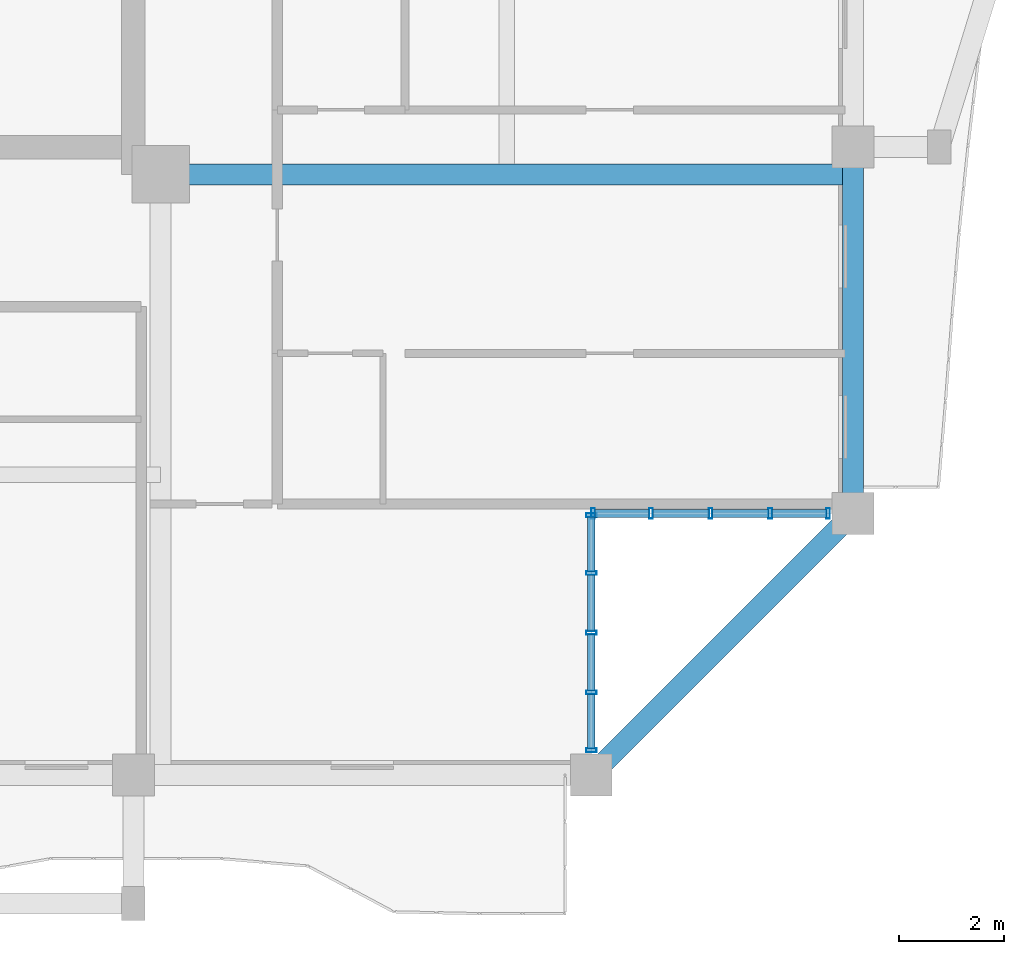
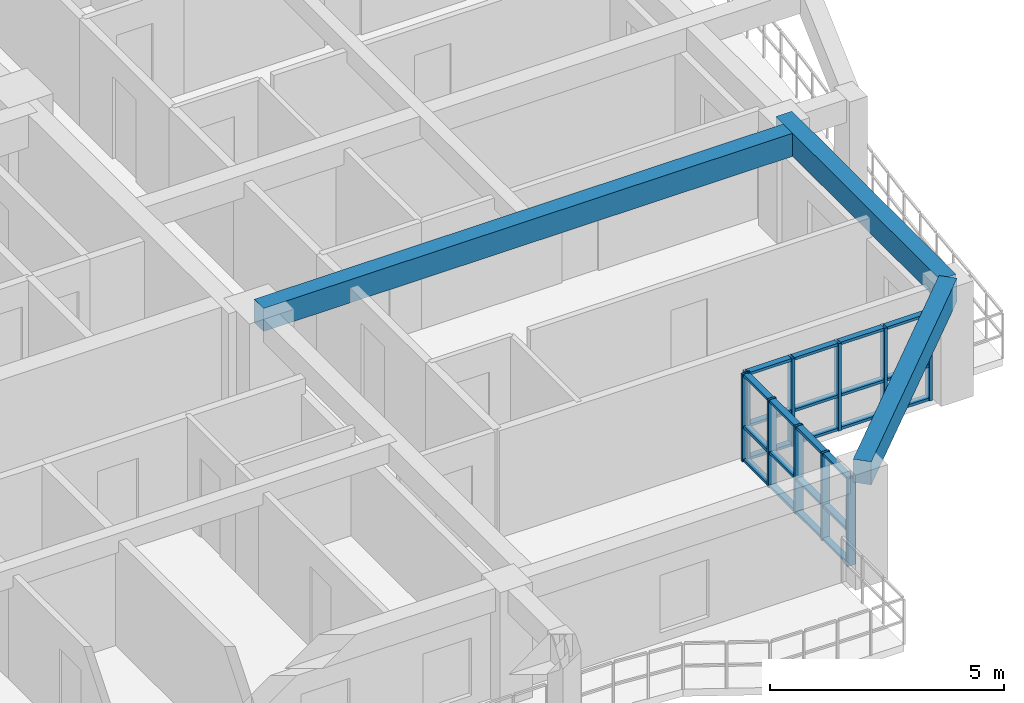
# One storey, part 4 of 22: 34 members, 3 beams, 2 elements without a shape of their own.
"""IFC4 building model written with IfcOpenShell, lengths in metres."""

from ifc_helpers import new_model, si_unit, direction, frame, origin, origin_2d, place, context, subcontext, project, spatial, rectangle, hollow_rectangle, extrude, source, transform, mapped, material, layer, layer_set, material_profile, profile_set, type_object, element, aggregate, save


model = new_model("IFC4")

# Units and contexts
model_context = context("Model", 3, precision=1e-05, world=origin(), true_north=direction((0.0, 1.0)))
body_context = subcontext(model_context, "Body", "Model", "MODEL_VIEW")
ifc_project = project(units=[si_unit("LENGTHUNIT", "METRE"), si_unit("AREAUNIT", "SQUARE_METRE"), si_unit("VOLUMEUNIT", "CUBIC_METRE"), si_unit("PLANEANGLEUNIT", "RADIAN"), si_unit("MASSUNIT", "GRAM", prefix="KILO")], contexts=[model_context])

# Site, building, storey
site_placement = place(None, origin())
site = spatial("IfcSite", under=ifc_project, at=site_placement, CompositionType="ELEMENT")
building_placement = place(site_placement, origin())
building = spatial("IfcBuilding", under=site, at=building_placement, Name="Saelheon Loggia Tower", CompositionType="ELEMENT")
storey_placement = place(building_placement, frame((0.0, 0.0, 176.800048828125)))
storey = spatial("IfcBuildingStorey", under=building, at=storey_placement, Name="L55", CompositionType="ELEMENT", Elevation=176.800048828125)

# Beams
ifc_material_1 = material(Name="Concrete C40/50", Category="concrete")
ifc_material_profile_1 = material_profile(ifc_material_1, rectangle(XDim=0.39990234375, YDim=0.60009765625, at=origin_2d()), Name="RC-400x600")
ifc_profile_set_1 = profile_set([ifc_material_profile_1], Name="Concrete C40/50")
beam_type_1 = type_object("IfcBeamType", Name="Beam_PerimUpper_RC400x600", PredefinedType="BEAM", material=ifc_profile_set_1)
shared_shape_1 = source(origin(), body_context, "Body", "SweptSolid", [
    extrude(rectangle(XDim=0.39990234375, YDim=0.60009765625, at=origin_2d()), origin(), (0.0, 0.0, 1.0), 7.071044921875),
])
beam_1_placement = place(storey_placement, frame((53.25, 6.0, 2.699951171875), z_axis=(0.707106781187, 0.707106781187, 0.0), x_axis=(-0.707106781187, 0.707106781187, 0.0)))
element("IfcBeam", 1, at=beam_1_placement, inside=storey, type_object=beam_type_1, Name="L55 Perimeter Frame Girder 04", PredefinedType="BEAM", context=body_context, shape_type="MappedRepresentation", body=[
    mapped(shared_shape_1, transform((0.0, 0.0, 0.0), scale=1.0)),
])
shared_shape_2 = source(origin(), body_context, "Body", "SweptSolid", [
    extrude(rectangle(XDim=0.39990234375, YDim=0.60009765625, at=origin_2d()), origin(), (0.0, 0.0, 1.0), 7.0),
])
beam_2_placement = place(storey_placement, frame((58.25, 11.0, 2.699951171875), z_axis=(0.0, 1.0, 0.0), x_axis=(-1.0, 0.0, 0.0)))
element("IfcBeam", 2, at=beam_2_placement, inside=storey, type_object=beam_type_1, Name="L55 Perimeter Frame Girder 05", PredefinedType="BEAM", context=body_context, shape_type="MappedRepresentation", body=[
    mapped(shared_shape_2, transform((0.0, 0.0, 0.0), scale=1.0)),
])
ifc_material_profile_2 = material_profile(ifc_material_1, rectangle(XDim=0.39990234375, YDim=0.60009765625, at=origin_2d()), Name="RC-400x600")
ifc_profile_set_2 = profile_set([ifc_material_profile_2], Name="Concrete C40/50")
beam_type_2 = type_object("IfcBeamType", Name="Beam_UpperGirder_RC400x600", PredefinedType="BEAM", material=ifc_profile_set_2)
shared_shape_3 = source(origin(), body_context, "Body", "SweptSolid", [
    extrude(rectangle(XDim=0.39990234375, YDim=0.60009765625, at=origin_2d()), origin(), (0.0, 0.0, 1.0), 13.22998046875),
])
beam_3_placement = place(storey_placement, frame((45.02001953125, 17.47998046875, 2.699951171875), z_axis=(1.0, 0.0, 0.0), x_axis=(0.0, 1.0, 0.0)))
element("IfcBeam", 3, at=beam_3_placement, inside=storey, type_object=beam_type_2, Name="L55 Radial Floor Girder RAD-SE-E", PredefinedType="BEAM", context=body_context, shape_type="MappedRepresentation", body=[
    mapped(shared_shape_3, transform((0.0, 0.0, 0.0), scale=1.0)),
])

# Curtain wall, members
ifc_material_2 = material(Name="High-Wind Aluminium and Triple Laminated Glass", Category="aluminium")
ifc_layer = layer(ifc_material_2, 0.179931640625)
ifc_layer_set = layer_set([ifc_layer], Name="High-Wind Aluminium and Triple Laminated Glass")
curtain_wall_type = type_object("IfcCurtainWallType", Name="CW_TowerLoggiaHigh", PredefinedType="NOTDEFINED", material=ifc_layer_set)
curtain_wall_1_placement = place(storey_placement, origin())
curtain_wall_1 = element("IfcCurtainWall", 4, at=curtain_wall_1_placement, inside=storey, type_object=curtain_wall_type, Name="L55 Corner Notch Glazing SE1", PredefinedType="NOTDEFINED")
ifc_material_3 = material(Name="Anodised Aluminium 6063-T6", Category="aluminium")
ifc_material_profile_3 = material_profile(ifc_material_3, hollow_rectangle(XDim=0.070068359375, YDim=0.199951171875, WallThickness=0.0048828125, at=origin_2d()), Name="RHS-200x70x5")
ifc_profile_set_3 = profile_set([ifc_material_profile_3], Name="Anodised Aluminium 6063-T6")
member_type_1 = type_object("IfcMemberType", Name="CW_TowerLoggiaHigh_Mullion", PredefinedType="MULLION", material=ifc_profile_set_3)
shared_shape_4 = source(origin(), body_context, "Body", "SweptSolid", [
    extrude(hollow_rectangle(XDim=0.070068359375, YDim=0.199951171875, WallThickness=0.0048828125, at=origin_2d()), origin(), (0.0, 0.0, 1.0), 2.280029296875),
])
member_1_placement = place(storey_placement, frame((53.25, 6.47509765625, 0.0), z_axis=(0.0, 0.0, 1.0), x_axis=(0.0, 1.0, 0.0)))
member_1 = element("IfcMember", 5, at=member_1_placement, type_object=member_type_1, Name="CW4 mullion 1", PredefinedType="MULLION", context=body_context, shape_type="MappedRepresentation", body=[
    mapped(shared_shape_4, transform((0.0, 0.0, 0.0), scale=1.0)),
])
member_2_placement = place(storey_placement, frame((53.25, 7.580078125, 0.0), z_axis=(0.0, 0.0, 1.0), x_axis=(0.0, 1.0, 0.0)))
member_2 = element("IfcMember", 6, at=member_2_placement, type_object=member_type_1, Name="CW4 mullion 2", PredefinedType="MULLION", context=body_context, shape_type="MappedRepresentation", body=[
    mapped(shared_shape_4, transform((0.0, 0.0, 0.0), scale=1.0)),
])
member_3_placement = place(storey_placement, frame((53.25, 8.719970703125, 0.0), z_axis=(0.0, 0.0, 1.0), x_axis=(0.0, 1.0, 0.0)))
member_3 = element("IfcMember", 7, at=member_3_placement, type_object=member_type_1, Name="CW4 mullion 3", PredefinedType="MULLION", context=body_context, shape_type="MappedRepresentation", body=[
    mapped(shared_shape_4, transform((0.0, 0.0, 0.0), scale=1.0)),
])
member_4_placement = place(storey_placement, frame((53.25, 9.860107421875, 0.0), z_axis=(0.0, 0.0, 1.0), x_axis=(0.0, 1.0, 0.0)))
member_4 = element("IfcMember", 8, at=member_4_placement, type_object=member_type_1, Name="CW4 mullion 4", PredefinedType="MULLION", context=body_context, shape_type="MappedRepresentation", body=[
    mapped(shared_shape_4, transform((0.0, 0.0, 0.0), scale=1.0)),
])
member_5_placement = place(storey_placement, frame((53.25, 10.965087890625, 0.0), z_axis=(0.0, 0.0, 1.0), x_axis=(0.0, 1.0, 0.0)))
member_5 = element("IfcMember", 9, at=member_5_placement, type_object=member_type_1, Name="CW4 mullion 5", PredefinedType="MULLION", context=body_context, shape_type="MappedRepresentation", body=[
    mapped(shared_shape_4, transform((0.0, 0.0, 0.0), scale=1.0)),
])

curtain_wall_2_placement = place(storey_placement, origin())
curtain_wall_2 = element("IfcCurtainWall", 10, at=curtain_wall_2_placement, inside=storey, type_object=curtain_wall_type, Name="L55 Corner Notch Glazing SE2", PredefinedType="NOTDEFINED")
member_6_placement = place(storey_placement, frame((53.284912109375, 11.0, 0.0), z_axis=(0.0, 0.0, 1.0), x_axis=(1.0, 0.0, 0.0)))
member_6 = element("IfcMember", 11, at=member_6_placement, type_object=member_type_1, Name="CW4 mullion 1", PredefinedType="MULLION", context=body_context, shape_type="MappedRepresentation", body=[
    mapped(shared_shape_4, transform((0.0, 0.0, 0.0), scale=1.0)),
])
member_7_placement = place(storey_placement, frame((54.389892578125, 11.0, 0.0), z_axis=(0.0, 0.0, 1.0), x_axis=(1.0, 0.0, 0.0)))
member_7 = element("IfcMember", 12, at=member_7_placement, type_object=member_type_1, Name="CW4 mullion 2", PredefinedType="MULLION", context=body_context, shape_type="MappedRepresentation", body=[
    mapped(shared_shape_4, transform((0.0, 0.0, 0.0), scale=1.0)),
])
member_8_placement = place(storey_placement, frame((55.530029296875, 11.0, 0.0), z_axis=(0.0, 0.0, 1.0), x_axis=(1.0, 0.0, 0.0)))
member_8 = element("IfcMember", 13, at=member_8_placement, type_object=member_type_1, Name="CW4 mullion 3", PredefinedType="MULLION", context=body_context, shape_type="MappedRepresentation", body=[
    mapped(shared_shape_4, transform((0.0, 0.0, 0.0), scale=1.0)),
])
member_9_placement = place(storey_placement, frame((56.669921875, 11.0, 0.0), z_axis=(0.0, 0.0, 1.0), x_axis=(1.0, 0.0, 0.0)))
member_9 = element("IfcMember", 14, at=member_9_placement, type_object=member_type_1, Name="CW4 mullion 4", PredefinedType="MULLION", context=body_context, shape_type="MappedRepresentation", body=[
    mapped(shared_shape_4, transform((0.0, 0.0, 0.0), scale=1.0)),
])
member_10_placement = place(storey_placement, frame((57.77490234375, 11.0, 0.0), z_axis=(0.0, 0.0, 1.0), x_axis=(1.0, 0.0, 0.0)))
member_10 = element("IfcMember", 15, at=member_10_placement, type_object=member_type_1, Name="CW4 mullion 5", PredefinedType="MULLION", context=body_context, shape_type="MappedRepresentation", body=[
    mapped(shared_shape_4, transform((0.0, 0.0, 0.0), scale=1.0)),
])

# Member
ifc_material_profile_4 = material_profile(ifc_material_3, hollow_rectangle(XDim=0.070068359375, YDim=0.14990234375, WallThickness=0.0048828125, at=origin_2d()), Name="RHS-150x70x5")
ifc_profile_set_4 = profile_set([ifc_material_profile_4], Name="Anodised Aluminium 6063-T6")
member_type_2 = type_object("IfcMemberType", Name="CW_TowerLoggiaHigh_Transom", PredefinedType="USERDEFINED", material=ifc_profile_set_4)
shared_shape_5 = source(origin(), body_context, "Body", "SweptSolid", [
    extrude(hollow_rectangle(XDim=0.070068359375, YDim=0.14990234375, WallThickness=0.0048828125, at=origin_2d()), origin(), (0.0, 0.0, 1.0), 1.034912109375),
])
member_11_placement = place(storey_placement, frame((53.25, 6.510009765625, 0.034912109375), z_axis=(0.0, 1.0, 0.0), x_axis=(0.0, 0.0, 1.0)))
member_11 = element("IfcMember", 16, at=member_11_placement, type_object=member_type_2, Name="CW4 transom 1.1", ObjectType="TRANSOM", PredefinedType="USERDEFINED", context=body_context, shape_type="MappedRepresentation", body=[
    mapped(shared_shape_5, transform((0.0, 0.0, 0.0), scale=1.0)),
])

member_12_placement = place(storey_placement, frame((53.25, 6.510009765625, 0.89990234375), z_axis=(0.0, 1.0, 0.0), x_axis=(0.0, 0.0, 1.0)))
member_12 = element("IfcMember", 17, at=member_12_placement, type_object=member_type_2, Name="CW4 transom 1.2", ObjectType="TRANSOM", PredefinedType="USERDEFINED", context=body_context, shape_type="MappedRepresentation", body=[
    mapped(shared_shape_5, transform((0.0, 0.0, 0.0), scale=1.0)),
])

member_13_placement = place(storey_placement, frame((53.25, 6.510009765625, 2.244873046875), z_axis=(0.0, 1.0, 0.0), x_axis=(0.0, 0.0, 1.0)))
member_13 = element("IfcMember", 18, at=member_13_placement, type_object=member_type_2, Name="CW4 transom 1.3", ObjectType="TRANSOM", PredefinedType="USERDEFINED", context=body_context, shape_type="MappedRepresentation", body=[
    mapped(shared_shape_5, transform((0.0, 0.0, 0.0), scale=1.0)),
])

member_14_placement = place(storey_placement, frame((53.25, 9.89501953125, 0.034912109375), z_axis=(0.0, 1.0, 0.0), x_axis=(0.0, 0.0, 1.0)))
member_14 = element("IfcMember", 19, at=member_14_placement, type_object=member_type_2, Name="CW4 transom 4.1", ObjectType="TRANSOM", PredefinedType="USERDEFINED", context=body_context, shape_type="MappedRepresentation", body=[
    mapped(shared_shape_5, transform((0.0, 0.0, 0.0), scale=1.0)),
])

member_15_placement = place(storey_placement, frame((53.25, 9.89501953125, 0.89990234375), z_axis=(0.0, 1.0, 0.0), x_axis=(0.0, 0.0, 1.0)))
member_15 = element("IfcMember", 20, at=member_15_placement, type_object=member_type_2, Name="CW4 transom 4.2", ObjectType="TRANSOM", PredefinedType="USERDEFINED", context=body_context, shape_type="MappedRepresentation", body=[
    mapped(shared_shape_5, transform((0.0, 0.0, 0.0), scale=1.0)),
])

member_16_placement = place(storey_placement, frame((53.25, 9.89501953125, 2.244873046875), z_axis=(0.0, 1.0, 0.0), x_axis=(0.0, 0.0, 1.0)))
member_16 = element("IfcMember", 21, at=member_16_placement, type_object=member_type_2, Name="CW4 transom 4.3", ObjectType="TRANSOM", PredefinedType="USERDEFINED", context=body_context, shape_type="MappedRepresentation", body=[
    mapped(shared_shape_5, transform((0.0, 0.0, 0.0), scale=1.0)),
])

member_17_placement = place(storey_placement, frame((53.320068359375, 11.0, 0.034912109375), z_axis=(1.0, 0.0, 0.0), x_axis=(0.0, 0.0, 1.0)))
member_17 = element("IfcMember", 22, at=member_17_placement, type_object=member_type_2, Name="CW4 transom 1.1", ObjectType="TRANSOM", PredefinedType="USERDEFINED", context=body_context, shape_type="MappedRepresentation", body=[
    mapped(shared_shape_5, transform((0.0, 0.0, 0.0), scale=1.0)),
])

member_18_placement = place(storey_placement, frame((53.320068359375, 11.0, 0.89990234375), z_axis=(1.0, 0.0, 0.0), x_axis=(0.0, 0.0, 1.0)))
member_18 = element("IfcMember", 23, at=member_18_placement, type_object=member_type_2, Name="CW4 transom 1.2", ObjectType="TRANSOM", PredefinedType="USERDEFINED", context=body_context, shape_type="MappedRepresentation", body=[
    mapped(shared_shape_5, transform((0.0, 0.0, 0.0), scale=1.0)),
])

member_19_placement = place(storey_placement, frame((53.320068359375, 11.0, 2.244873046875), z_axis=(1.0, 0.0, 0.0), x_axis=(0.0, 0.0, 1.0)))
member_19 = element("IfcMember", 24, at=member_19_placement, type_object=member_type_2, Name="CW4 transom 1.3", ObjectType="TRANSOM", PredefinedType="USERDEFINED", context=body_context, shape_type="MappedRepresentation", body=[
    mapped(shared_shape_5, transform((0.0, 0.0, 0.0), scale=1.0)),
])

member_20_placement = place(storey_placement, frame((56.705078125, 11.0, 0.034912109375), z_axis=(1.0, 0.0, 0.0), x_axis=(0.0, 0.0, 1.0)))
member_20 = element("IfcMember", 25, at=member_20_placement, type_object=member_type_2, Name="CW4 transom 4.1", ObjectType="TRANSOM", PredefinedType="USERDEFINED", context=body_context, shape_type="MappedRepresentation", body=[
    mapped(shared_shape_5, transform((0.0, 0.0, 0.0), scale=1.0)),
])

member_21_placement = place(storey_placement, frame((56.705078125, 11.0, 0.89990234375), z_axis=(1.0, 0.0, 0.0), x_axis=(0.0, 0.0, 1.0)))
member_21 = element("IfcMember", 26, at=member_21_placement, type_object=member_type_2, Name="CW4 transom 4.2", ObjectType="TRANSOM", PredefinedType="USERDEFINED", context=body_context, shape_type="MappedRepresentation", body=[
    mapped(shared_shape_5, transform((0.0, 0.0, 0.0), scale=1.0)),
])

member_22_placement = place(storey_placement, frame((56.705078125, 11.0, 2.244873046875), z_axis=(1.0, 0.0, 0.0), x_axis=(0.0, 0.0, 1.0)))
member_22 = element("IfcMember", 27, at=member_22_placement, type_object=member_type_2, Name="CW4 transom 4.3", ObjectType="TRANSOM", PredefinedType="USERDEFINED", context=body_context, shape_type="MappedRepresentation", body=[
    mapped(shared_shape_5, transform((0.0, 0.0, 0.0), scale=1.0)),
])

shared_shape_6 = source(origin(), body_context, "Body", "SweptSolid", [
    extrude(hollow_rectangle(XDim=0.070068359375, YDim=0.14990234375, WallThickness=0.0048828125, at=origin_2d()), origin(), (0.0, 0.0, 1.0), 1.070068359375),
])
member_23_placement = place(storey_placement, frame((53.25, 7.614990234375, 0.034912109375), z_axis=(0.0, 1.0, 0.0), x_axis=(0.0, 0.0, 1.0)))
member_23 = element("IfcMember", 28, at=member_23_placement, type_object=member_type_2, Name="CW4 transom 2.1", ObjectType="TRANSOM", PredefinedType="USERDEFINED", context=body_context, shape_type="MappedRepresentation", body=[
    mapped(shared_shape_6, transform((0.0, 0.0, 0.0), scale=1.0)),
])

member_24_placement = place(storey_placement, frame((53.25, 7.614990234375, 0.89990234375), z_axis=(0.0, 1.0, 0.0), x_axis=(0.0, 0.0, 1.0)))
member_24 = element("IfcMember", 29, at=member_24_placement, type_object=member_type_2, Name="CW4 transom 2.2", ObjectType="TRANSOM", PredefinedType="USERDEFINED", context=body_context, shape_type="MappedRepresentation", body=[
    mapped(shared_shape_6, transform((0.0, 0.0, 0.0), scale=1.0)),
])

member_25_placement = place(storey_placement, frame((53.25, 7.614990234375, 2.244873046875), z_axis=(0.0, 1.0, 0.0), x_axis=(0.0, 0.0, 1.0)))
member_25 = element("IfcMember", 30, at=member_25_placement, type_object=member_type_2, Name="CW4 transom 2.3", ObjectType="TRANSOM", PredefinedType="USERDEFINED", context=body_context, shape_type="MappedRepresentation", body=[
    mapped(shared_shape_6, transform((0.0, 0.0, 0.0), scale=1.0)),
])

member_26_placement = place(storey_placement, frame((53.25, 8.7548828125, 0.034912109375), z_axis=(0.0, 1.0, 0.0), x_axis=(0.0, 0.0, 1.0)))
member_26 = element("IfcMember", 31, at=member_26_placement, type_object=member_type_2, Name="CW4 transom 3.1", ObjectType="TRANSOM", PredefinedType="USERDEFINED", context=body_context, shape_type="MappedRepresentation", body=[
    mapped(shared_shape_6, transform((0.0, 0.0, 0.0), scale=1.0)),
])

member_27_placement = place(storey_placement, frame((53.25, 8.7548828125, 0.89990234375), z_axis=(0.0, 1.0, 0.0), x_axis=(0.0, 0.0, 1.0)))
member_27 = element("IfcMember", 32, at=member_27_placement, type_object=member_type_2, Name="CW4 transom 3.2", ObjectType="TRANSOM", PredefinedType="USERDEFINED", context=body_context, shape_type="MappedRepresentation", body=[
    mapped(shared_shape_6, transform((0.0, 0.0, 0.0), scale=1.0)),
])

member_28_placement = place(storey_placement, frame((53.25, 8.7548828125, 2.244873046875), z_axis=(0.0, 1.0, 0.0), x_axis=(0.0, 0.0, 1.0)))
member_28 = element("IfcMember", 33, at=member_28_placement, type_object=member_type_2, Name="CW4 transom 3.3", ObjectType="TRANSOM", PredefinedType="USERDEFINED", context=body_context, shape_type="MappedRepresentation", body=[
    mapped(shared_shape_6, transform((0.0, 0.0, 0.0), scale=1.0)),
])

aggregate(curtain_wall_1, [member_1, member_2, member_3, member_4, member_5, member_11, member_12, member_13, member_23, member_24, member_25, member_26, member_27, member_28, member_14, member_15, member_16])

member_29_placement = place(storey_placement, frame((54.425048828125, 11.0, 0.034912109375), z_axis=(1.0, 0.0, 0.0), x_axis=(0.0, 0.0, 1.0)))
member_29 = element("IfcMember", 34, at=member_29_placement, type_object=member_type_2, Name="CW4 transom 2.1", ObjectType="TRANSOM", PredefinedType="USERDEFINED", context=body_context, shape_type="MappedRepresentation", body=[
    mapped(shared_shape_6, transform((0.0, 0.0, 0.0), scale=1.0)),
])

member_30_placement = place(storey_placement, frame((54.425048828125, 11.0, 0.89990234375), z_axis=(1.0, 0.0, 0.0), x_axis=(0.0, 0.0, 1.0)))
member_30 = element("IfcMember", 35, at=member_30_placement, type_object=member_type_2, Name="CW4 transom 2.2", ObjectType="TRANSOM", PredefinedType="USERDEFINED", context=body_context, shape_type="MappedRepresentation", body=[
    mapped(shared_shape_6, transform((0.0, 0.0, 0.0), scale=1.0)),
])

member_31_placement = place(storey_placement, frame((54.425048828125, 11.0, 2.244873046875), z_axis=(1.0, 0.0, 0.0), x_axis=(0.0, 0.0, 1.0)))
member_31 = element("IfcMember", 36, at=member_31_placement, type_object=member_type_2, Name="CW4 transom 2.3", ObjectType="TRANSOM", PredefinedType="USERDEFINED", context=body_context, shape_type="MappedRepresentation", body=[
    mapped(shared_shape_6, transform((0.0, 0.0, 0.0), scale=1.0)),
])

member_32_placement = place(storey_placement, frame((55.56494140625, 11.0, 0.034912109375), z_axis=(1.0, 0.0, 0.0), x_axis=(0.0, 0.0, 1.0)))
member_32 = element("IfcMember", 37, at=member_32_placement, type_object=member_type_2, Name="CW4 transom 3.1", ObjectType="TRANSOM", PredefinedType="USERDEFINED", context=body_context, shape_type="MappedRepresentation", body=[
    mapped(shared_shape_6, transform((0.0, 0.0, 0.0), scale=1.0)),
])

member_33_placement = place(storey_placement, frame((55.56494140625, 11.0, 0.89990234375), z_axis=(1.0, 0.0, 0.0), x_axis=(0.0, 0.0, 1.0)))
member_33 = element("IfcMember", 38, at=member_33_placement, type_object=member_type_2, Name="CW4 transom 3.2", ObjectType="TRANSOM", PredefinedType="USERDEFINED", context=body_context, shape_type="MappedRepresentation", body=[
    mapped(shared_shape_6, transform((0.0, 0.0, 0.0), scale=1.0)),
])

member_34_placement = place(storey_placement, frame((55.56494140625, 11.0, 2.244873046875), z_axis=(1.0, 0.0, 0.0), x_axis=(0.0, 0.0, 1.0)))
member_34 = element("IfcMember", 39, at=member_34_placement, type_object=member_type_2, Name="CW4 transom 3.3", ObjectType="TRANSOM", PredefinedType="USERDEFINED", context=body_context, shape_type="MappedRepresentation", body=[
    mapped(shared_shape_6, transform((0.0, 0.0, 0.0), scale=1.0)),
])

aggregate(curtain_wall_2, [member_6, member_7, member_8, member_9, member_10, member_17, member_18, member_19, member_29, member_30, member_31, member_32, member_33, member_34, member_20, member_21, member_22])

save(model, "model.ifc")
